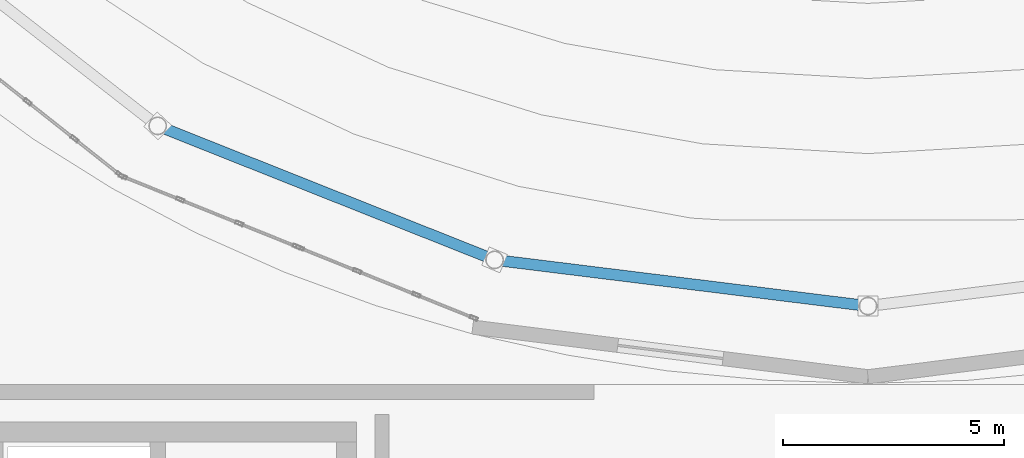
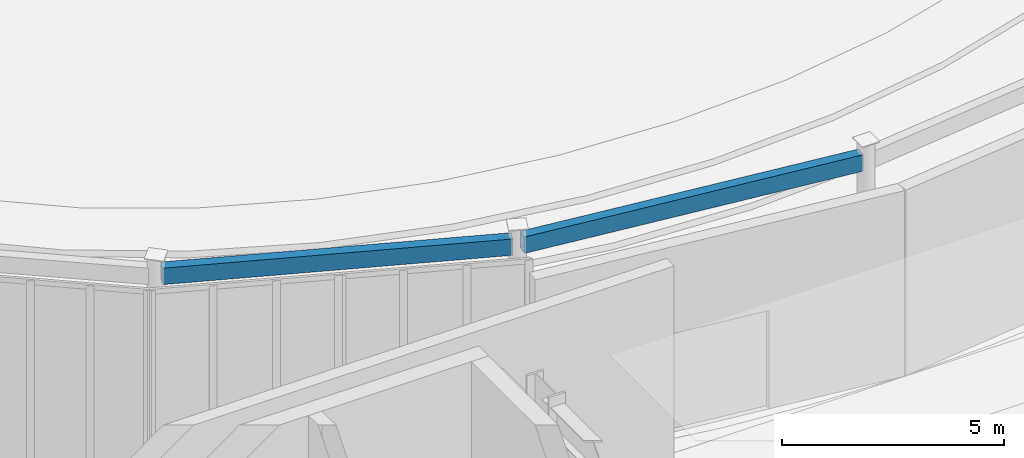
# One storey, part 34 of 94: 2 beams.
"""IFC4 building model written with IfcOpenShell, lengths in metres."""

from ifc_helpers import new_model, si_unit, direction, frame, origin, origin_2d, place, context, subcontext, project, spatial, hollow_rectangle, extrude, material, material_profile, profile_set, type_object, element, save


model = new_model("IFC4")

# Units and contexts
model_context = context("Model", 3, precision=1e-05, world=origin(), true_north=direction((0.0, 1.0)))
body_context = subcontext(model_context, "Body", "Model", "MODEL_VIEW")
ifc_project = project(units=[si_unit("LENGTHUNIT", "METRE"), si_unit("AREAUNIT", "SQUARE_METRE"), si_unit("VOLUMEUNIT", "CUBIC_METRE"), si_unit("PLANEANGLEUNIT", "RADIAN"), si_unit("MASSUNIT", "GRAM", prefix="KILO")], contexts=[model_context])

# Site, building, storey
site_placement = place(None, origin())
site = spatial("IfcSite", under=ifc_project, at=site_placement, CompositionType="ELEMENT")
building_placement = place(site_placement, origin())
building = spatial("IfcBuilding", under=site, at=building_placement, Name="Sollismere Congress Hotel", CompositionType="ELEMENT")
storey_placement = place(building_placement, origin())
storey = spatial("IfcBuildingStorey", under=building, at=storey_placement, Name="L00", CompositionType="ELEMENT", Elevation=0.0)

# Beams
ifc_material = material(Name="Steel ASTM A500 Grade C", Category="steel")
ifc_material_profile = material_profile(ifc_material, hollow_rectangle(XDim=0.25, YDim=0.449951171875, WallThickness=0.01611328125, at=origin_2d()), Name="HSS450X250X16")
ifc_profile_set = profile_set([ifc_material_profile], Name="Steel ASTM A500 Grade C")
beam_type = type_object("IfcBeamType", Name="BM-BX450", PredefinedType="HOLLOWCORE", material=ifc_profile_set)
beam_1_placement = place(storey_placement, frame((13.03564453125, 73.0830078125, 4.889892578125), z_axis=(0.929208384376, -0.369556191134, 0.0), x_axis=(0.369556191134, 0.929208384376, 0.0)))
element("IfcBeam", 1, at=beam_1_placement, inside=storey, type_object=beam_type, Name="Beam BM-L00-4179", PredefinedType="HOLLOWCORE", context=body_context, shape_type="SweptSolid", body=[
    extrude(hollow_rectangle(XDim=0.25, YDim=0.449951171875, WallThickness=0.01611328125, at=origin_2d()), origin(), (0.0, 0.0, 1.0), 7.96533203125),
])
beam_2_placement = place(storey_placement, frame((20.66748046875, 70.080078125, 4.889892578125), z_axis=(0.992444891413, -0.122691228327, 0.0), x_axis=(0.122691228327, 0.992444891413, 0.0)))
element("IfcBeam", 2, at=beam_2_placement, inside=storey, type_object=beam_type, Name="Beam BM-L00-4180", PredefinedType="HOLLOWCORE", context=body_context, shape_type="SweptSolid", body=[
    extrude(hollow_rectangle(XDim=0.25, YDim=0.449951171875, WallThickness=0.01611328125, at=origin_2d()), origin(), (0.0, 0.0, 1.0), 8.27587890625),
])

save(model, "model.ifc")
